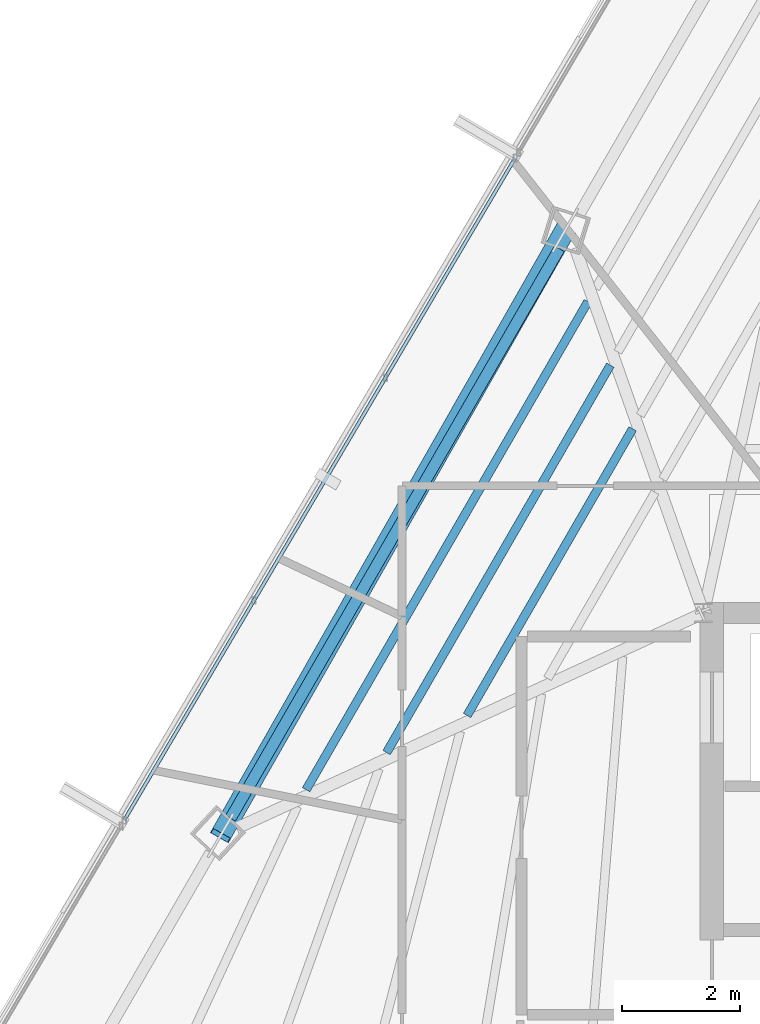
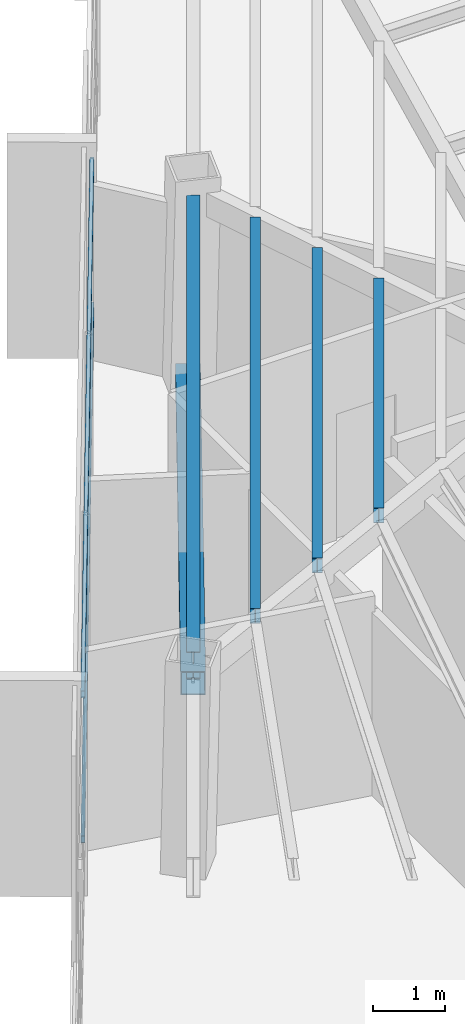
# One storey, part 16 of 46: 4 beams, 3 members, 1 element without a shape of its own.
"""IFC4 building model written with IfcOpenShell, lengths in metres."""

from ifc_helpers import new_model, si_unit, direction, frame, origin, origin_2d, place, context, subcontext, project, spatial, hollow_rectangle, i_section, extrude, source, transform, mapped, material, material_profile, profile_set, type_object, type_shapes, element, aggregate, save


model = new_model("IFC4")

# Units and contexts
model_context = context("Model", 3, precision=1e-05, world=origin(), true_north=direction((0.0, 1.0)))
body_context = subcontext(model_context, "Body", "Model", "MODEL_VIEW")
ifc_project = project(units=[si_unit("LENGTHUNIT", "METRE"), si_unit("AREAUNIT", "SQUARE_METRE"), si_unit("VOLUMEUNIT", "CUBIC_METRE"), si_unit("PLANEANGLEUNIT", "RADIAN"), si_unit("MASSUNIT", "GRAM", prefix="KILO")], contexts=[model_context])

# Site, building, storey
site_placement = place(None, origin())
site = spatial("IfcSite", under=ifc_project, at=site_placement, CompositionType="ELEMENT")
building_placement = place(site_placement, origin())
building = spatial("IfcBuilding", under=site, at=building_placement, Name="Caelisora Broadcast Tower", CompositionType="ELEMENT")
storey_placement = place(building_placement, frame((0.0, 0.0, 251.75)))
storey = spatial("IfcBuildingStorey", under=building, at=storey_placement, Name="L66", CompositionType="ELEMENT", Elevation=251.75)

# Beams
ifc_material_1 = material(Name="Steel Grade 350 (AS/NZS 3679.1)", Category="steel")
ifc_material_profile_1 = material_profile(ifc_material_1, i_section(OverallWidth=0.19091796875, OverallDepth=0.46044921875, WebThickness=0.010009765625, FlangeThickness=0.01611328125, at=origin_2d()), Name="Steel Grade 350 (AS/NZS 3679.1)")
ifc_profile_set_1 = profile_set([ifc_material_profile_1], Name="Steel Grade 350 (AS/NZS 3679.1)")
beam_type_1 = type_object("IfcBeamType", Name="PG06", PredefinedType="BEAM", material=ifc_profile_set_1)
shared_shape_1 = source(origin(), body_context, "Body", "SweptSolid", [
    extrude(i_section(OverallWidth=0.19091796875, OverallDepth=0.46044921875, WebThickness=0.010009765625, FlangeThickness=0.01611328125, at=origin_2d()), origin(), (0.0, 0.0, 1.0), 11.124267578125),
])
type_shapes(beam_type_1, [shared_shape_1])
beam_1_placement = place(storey_placement, frame((28.06103515625, 36.160888671875, 3.169921875), z_axis=(-0.500012482886, -0.866018196667, 0.0), x_axis=(0.866018196667, -0.500012482886, 0.0)))
element("IfcBeam", 1, at=beam_1_placement, inside=storey, type_object=beam_type_1, Name="L66 beam PG06", PredefinedType="BEAM", context=body_context, shape_type="MappedRepresentation", body=[
    mapped(shared_shape_1, transform((0.0, 0.0, 0.0), scale=1.0)),
])
ifc_material_profile_2 = material_profile(ifc_material_1, i_section(OverallWidth=0.14599609375, OverallDepth=0.256103515625, WebThickness=0.00634765625, FlangeThickness=0.010986328125, at=origin_2d()), Name="Steel Grade 350 (AS/NZS 3679.1)")
ifc_profile_set_2 = profile_set([ifc_material_profile_2], Name="Steel Grade 350 (AS/NZS 3679.1)")
beam_type_2 = type_object("IfcBeamType", Name="SB04", PredefinedType="JOIST", material=ifc_profile_set_2)
shared_shape_2 = source(origin(), body_context, "Body", "SweptSolid", [
    extrude(i_section(OverallWidth=0.14599609375, OverallDepth=0.256103515625, WebThickness=0.00634765625, FlangeThickness=0.010986328125, at=origin_2d()), origin(), (0.0, 0.0, 1.0), 5.601318359375),
])
beam_2_placement = place(storey_placement, frame((29.30078125, 33.115234375, 3.27197265625), z_axis=(-0.500020512648, -0.866013560478, 0.0), x_axis=(0.866013560478, -0.500020512648, 0.0)))
element("IfcBeam", 2, at=beam_2_placement, inside=storey, type_object=beam_type_2, Name="L66 beam SB04", PredefinedType="JOIST", context=body_context, shape_type="MappedRepresentation", body=[
    mapped(shared_shape_2, transform((0.0, 0.0, 0.0), scale=1.0)),
])
shared_shape_3 = source(origin(), body_context, "Body", "SweptSolid", [
    extrude(i_section(OverallWidth=0.14599609375, OverallDepth=0.256103515625, WebThickness=0.00634765625, FlangeThickness=0.010986328125, at=origin_2d()), origin(), (0.0, 0.0, 1.0), 7.56787109375),
])
beam_3_placement = place(storey_placement, frame((28.92236328125, 34.19091796875, 3.27197265625), z_axis=(-0.500000774816, -0.866024956444, 0.0), x_axis=(0.866024956444, -0.500000774816, 0.0)))
element("IfcBeam", 3, at=beam_3_placement, inside=storey, type_object=beam_type_2, Name="L66 beam SB04", PredefinedType="JOIST", context=body_context, shape_type="MappedRepresentation", body=[
    mapped(shared_shape_3, transform((0.0, 0.0, 0.0), scale=1.0)),
])
shared_shape_4 = source(origin(), body_context, "Body", "SweptSolid", [
    extrude(i_section(OverallWidth=0.14599609375, OverallDepth=0.256103515625, WebThickness=0.00634765625, FlangeThickness=0.010986328125, at=origin_2d()), origin(), (0.0, 0.0, 1.0), 9.53466796875),
])
type_shapes(beam_type_2, [shared_shape_2, shared_shape_3, shared_shape_4])
beam_4_placement = place(storey_placement, frame((28.5439453125, 35.2666015625, 3.27197265625), z_axis=(-0.499997295977, -0.866026964947, 0.0), x_axis=(0.866026964947, -0.499997295977, 0.0)))
element("IfcBeam", 4, at=beam_4_placement, inside=storey, type_object=beam_type_2, Name="L66 beam SB04", PredefinedType="JOIST", context=body_context, shape_type="MappedRepresentation", body=[
    mapped(shared_shape_4, transform((0.0, 0.0, 0.0), scale=1.0)),
])

# Member
ifc_material_2 = material(Name="Steel Grade 450 (AS/NZS 1163 C450L0)", Category="steel")
ifc_material_profile_3 = material_profile(ifc_material_2, hollow_rectangle(XDim=0.35009765625, YDim=0.35009765625, WallThickness=0.012451171875, at=origin_2d()), Name="Steel Grade 450 (AS/NZS 1163 C450L0)")
ifc_profile_set_3 = profile_set([ifc_material_profile_3], Name="Steel Grade 450 (AS/NZS 1163 C450L0)")
member_type_1 = type_object("IfcMemberType", Name="BR05", PredefinedType="BRACE", material=ifc_profile_set_3)
shared_shape_5 = source(origin(), body_context, "Body", "SweptSolid", [
    extrude(hollow_rectangle(XDim=0.35009765625, YDim=0.35009765625, WallThickness=0.012451171875, at=origin_2d()), origin(), (0.0, 0.0, 1.0), 12.159912109375),
])
type_shapes(member_type_1, [shared_shape_5])
member_1_placement = place(storey_placement, frame((28.1591796875, 36.4755859375, 0.10009765625), z_axis=(-0.479390106242, -0.842210335328, 0.246712134083), x_axis=(0.869074460551, -0.494681293377, 0.0)))
element("IfcMember", 5, at=member_1_placement, inside=storey, type_object=member_type_1, Name="L66 perimeter brace BR05", PredefinedType="BRACE", context=body_context, shape_type="MappedRepresentation", body=[
    mapped(shared_shape_5, transform((0.0, 0.0, 0.0), scale=1.0)),
])

# Curtain wall, members
ifc_material_3 = material(Name="Unitised Aluminium Insulated Shadow-Box Spandrel Curtain Wall", Category="aluminium")
curtain_wall_type = type_object("IfcCurtainWallType", Name="CW-SP3", PredefinedType="NOTDEFINED", material=ifc_material_3)
curtain_wall_placement = place(storey_placement, origin())
curtain_wall = element("IfcCurtainWall", 6, at=curtain_wall_placement, inside=storey, type_object=curtain_wall_type, Name="L66 curtain wall CW-SP3", PredefinedType="NOTDEFINED")
ifc_material_4 = material(Name="Aluminium 6063-T6 Anodised Terracotta Bronze", Category="aluminium")
ifc_material_profile_4 = material_profile(ifc_material_4, hollow_rectangle(XDim=0.06005859375, YDim=0.1201171875, WallThickness=0.0029296875, at=origin_2d()), Name="Aluminium 6063-T6 Anodised Terracotta Bronze")
ifc_profile_set_4 = profile_set([ifc_material_profile_4], Name="Aluminium 6063-T6 Anodised Terracotta Bronze")
member_type_2 = type_object("IfcMemberType", Name="CWT-03", PredefinedType="USERDEFINED", material=ifc_profile_set_4)
shared_shape_6 = source(origin(), body_context, "Body", "SweptSolid", [
    extrude(hollow_rectangle(XDim=0.06005859375, YDim=0.1201171875, WallThickness=0.0029296875, at=origin_2d()), origin(), (0.0, 0.0, 1.0), 13.007080078125),
])
type_shapes(member_type_2, [shared_shape_6])
member_2_placement = place(storey_placement, frame((20.7001953125, 26.49462890625, 0.85009765625), z_axis=(0.508421314621, 0.861108452426, 0.0), x_axis=(-0.861108452426, 0.508421314621, 0.0)))
member_2 = element("IfcMember", 7, at=member_2_placement, type_object=member_type_2, Name="L66-CW-B10 transom #1", ObjectType="TRANSOM", PredefinedType="USERDEFINED", context=body_context, shape_type="MappedRepresentation", body=[
    mapped(shared_shape_6, transform((0.0, 0.0, 0.0), scale=1.0)),
])
member_3_placement = place(storey_placement, frame((20.7001953125, 26.49462890625, 3.320068359375), z_axis=(0.508421314621, 0.861108452426, 0.0), x_axis=(-0.861108452426, 0.508421314621, 0.0)))
member_3 = element("IfcMember", 8, at=member_3_placement, type_object=member_type_2, Name="L66-CW-B10 transom #2", ObjectType="TRANSOM", PredefinedType="USERDEFINED", context=body_context, shape_type="MappedRepresentation", body=[
    mapped(shared_shape_6, transform((0.0, 0.0, 0.0), scale=1.0)),
])
aggregate(curtain_wall, [member_2, member_3])

save(model, "model.ifc")
